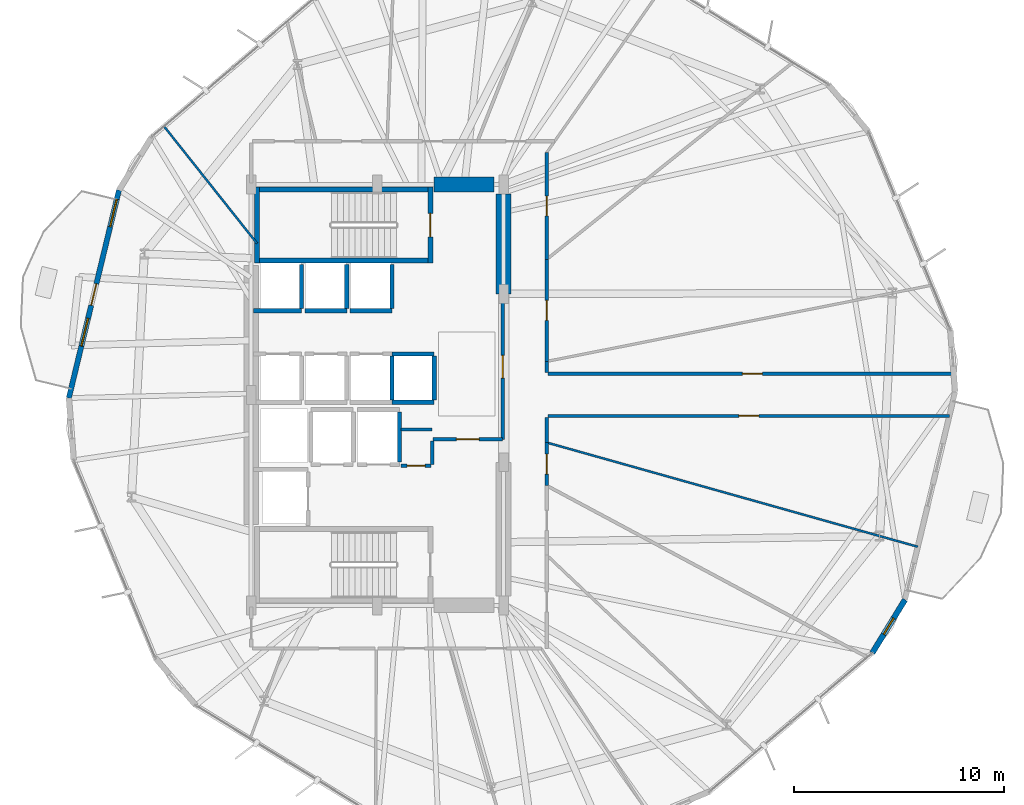
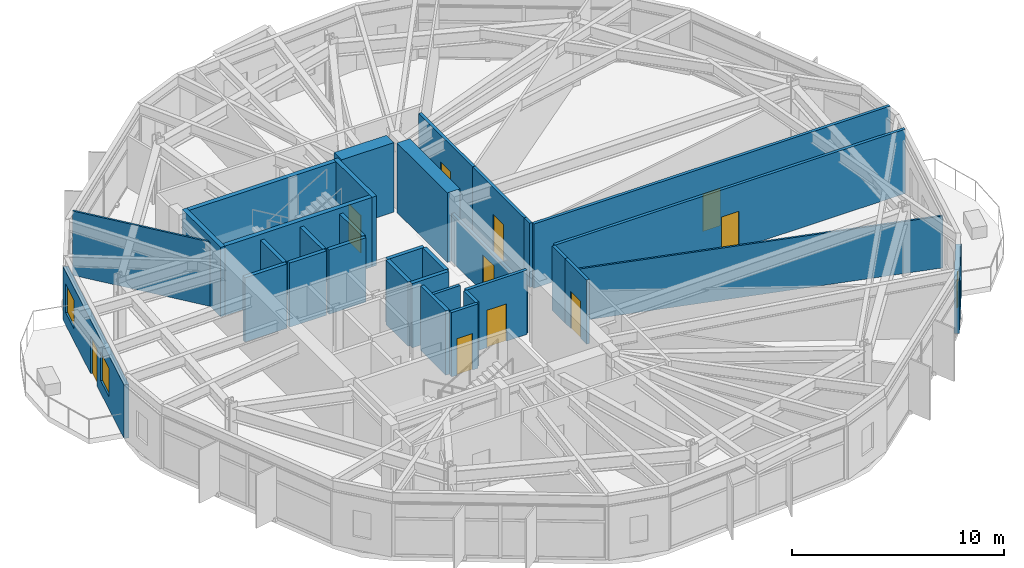
# One storey, part 17 of 22: 33 walls, 10 doors, 3 windows, 13 openings.
"""IFC4 building model written with IfcOpenShell, lengths in metres."""

from ifc_helpers import new_model, si_unit, direction, frame, frame_2d, origin, place, context, subcontext, project, spatial, rectangle, extrude, material, layer, layer_set, type_object, element, fill, save


model = new_model("IFC4")

# Units and contexts
model_context = context("Model", 3, precision=1e-05, world=origin(), true_north=direction((0.0, 1.0)))
body_context = subcontext(model_context, "Body", "Model", "MODEL_VIEW")
ifc_project = project(units=[si_unit("LENGTHUNIT", "METRE"), si_unit("AREAUNIT", "SQUARE_METRE"), si_unit("VOLUMEUNIT", "CUBIC_METRE"), si_unit("PLANEANGLEUNIT", "RADIAN"), si_unit("MASSUNIT", "GRAM", prefix="KILO")], contexts=[model_context])

# Site, building, storey
site_placement = place(None, origin())
site = spatial("IfcSite", under=ifc_project, at=site_placement, CompositionType="ELEMENT")
building_placement = place(site_placement, origin())
building = spatial("IfcBuilding", under=site, at=building_placement, Name="Soratama Intermodal Tower", CompositionType="ELEMENT")
storey_placement = place(building_placement, frame((0.0, 0.0, 50.60009765625)))
storey = spatial("IfcBuildingStorey", under=building, at=storey_placement, Name="L11", CompositionType="ELEMENT", Elevation=50.60009765625)

# Wall, openings, door, windows
ifc_material_1 = material(Name="Concrete f'c 42 MPa", Category="concrete")
ifc_layer_1 = layer(ifc_material_1, 0.25)
ifc_layer_set_1 = layer_set([ifc_layer_1], Name="Concrete f'c 42 MPa")
wall_type_1 = type_object("IfcWallType", Name="EW-BAL-250", PredefinedType="SOLIDWALL", material=ifc_layer_set_1)
wall_1_placement = place(storey_placement, frame((26.31884765625, 34.73388671875, 0.0), z_axis=(0.0, 0.0, 1.0), x_axis=(-0.234457403368, -0.972126394049, 0.0)))
wall_1 = element("IfcWall", 1, at=wall_1_placement, inside=storey, type_object=wall_type_1, Name="L11 Terrace Wall F05", PredefinedType="SOLIDWALL", context=body_context, shape_type="SweptSolid", body=[
    extrude(rectangle(XDim=10.165283203125, YDim=0.25, at=frame_2d((5.08251953125, 0.0))), origin(), (0.0, 0.0, 1.0), 3.078857421875),
])
opening_1_placement = place(wall_1_placement, frame((4.58251953125, 0.0, 0.0)))
opening_1 = element("IfcOpeningElement", 2, at=opening_1_placement, cuts=wall_1, Name="Opening ED-5", PredefinedType="OPENING", context=body_context, shape_type="SweptSolid", body=[
    extrude(rectangle(XDim=1.050048828125, YDim=2.14990234375, at=frame_2d((0.52490234375, 1.074951171875))), frame((0.0, 0.135009765625, 0.0), z_axis=(0.0, -1.0, 0.0), x_axis=(1.0, 0.0, 0.0)), (0.0, 0.0, 1.0), 0.27001953125),
])
opening_2_placement = place(wall_1_placement, frame((0.43994140625, 0.0, 0.719970703125)))
opening_2 = element("IfcOpeningElement", 3, at=opening_2_placement, cuts=wall_1, Name="Opening WN-4", PredefinedType="OPENING", context=body_context, shape_type="SweptSolid", body=[
    extrude(rectangle(XDim=1.35009765625, YDim=1.64990234375, at=frame_2d((0.675048828125, 0.824951171875))), frame((0.0, 0.135009765625, 0.0), z_axis=(0.0, -1.0, 0.0), x_axis=(1.0, 0.0, 0.0)), (0.0, 0.0, 1.0), 0.27001953125),
])
opening_3_placement = place(wall_1_placement, frame((6.272705078125, 0.0, 0.719970703125)))
opening_3 = element("IfcOpeningElement", 4, at=opening_3_placement, cuts=wall_1, Name="Opening WN-4", PredefinedType="OPENING", context=body_context, shape_type="SweptSolid", body=[
    extrude(rectangle(XDim=1.35009765625, YDim=1.64990234375, at=frame_2d((0.675048828125, 0.824951171875))), frame((0.0, 0.135009765625, 0.0), z_axis=(0.0, -1.0, 0.0), x_axis=(1.0, 0.0, 0.0)), (0.0, 0.0, 1.0), 0.27001953125),
])
ifc_material_2 = material(Name="Double-glazed aluminium door", Category="aluminium")
door_type_1 = type_object("IfcDoorType", Name="DR-BAL-1050", OperationType="NOTDEFINED", PredefinedType="DOOR", material=ifc_material_2)
door_1_placement = place(opening_1_placement, origin())
door_1 = element("IfcDoor", 5, at=door_1_placement, inside=storey, type_object=door_type_1, Name="L11 Balcony Door F05", OperationType="SINGLE_SWING_LEFT", OverallHeight=2.14990234375, OverallWidth=1.050048828125, PredefinedType="DOOR", context=body_context, shape_type="SweptSolid", body=[
    extrude(rectangle(XDim=1.050048828125, YDim=2.14990234375, at=frame_2d((0.52490234375, 1.074951171875))), frame((0.0, 0.02490234375, 0.0), z_axis=(0.0, -1.0, 0.0), x_axis=(1.0, 0.0, 0.0)), (0.0, 0.0, 1.0), 0.050048828125),
])
fill(opening_1, door_1)
ifc_material_3 = material(Name="Double-glazed aluminium window", Category="aluminium")
window_type_1 = type_object("IfcWindowType", Name="WN-FAC-1350", PartitioningType="SINGLE_PANEL", PredefinedType="WINDOW", material=ifc_material_3)
window_1_placement = place(opening_2_placement, origin())
window_1 = element("IfcWindow", 6, at=window_1_placement, inside=storey, type_object=window_type_1, Name="L11 Window A F05", OverallHeight=1.64990234375, OverallWidth=1.35009765625, PartitioningType="SINGLE_PANEL", PredefinedType="WINDOW", context=body_context, shape_type="SweptSolid", body=[
    extrude(rectangle(XDim=1.35009765625, YDim=1.64990234375, at=frame_2d((0.675048828125, 0.824951171875))), frame((0.0, 0.030029296875, 0.0), z_axis=(0.0, -1.0, 0.0), x_axis=(1.0, 0.0, 0.0)), (0.0, 0.0, 1.0), 0.06005859375),
])
fill(opening_2, window_1)
window_2_placement = place(opening_3_placement, origin())
window_2 = element("IfcWindow", 7, at=window_2_placement, inside=storey, type_object=window_type_1, Name="L11 Window B F05", OverallHeight=1.64990234375, OverallWidth=1.35009765625, PartitioningType="SINGLE_PANEL", PredefinedType="WINDOW", context=body_context, shape_type="SweptSolid", body=[
    extrude(rectangle(XDim=1.35009765625, YDim=1.64990234375, at=frame_2d((0.675048828125, 0.824951171875))), frame((0.0, 0.030029296875, 0.0), z_axis=(0.0, -1.0, 0.0), x_axis=(1.0, 0.0, 0.0)), (0.0, 0.0, 1.0), 0.06005859375),
])
fill(opening_3, window_2)

# Wall, opening, window
ifc_material_4 = material(Name="Concrete f'c 42 MPa", Category="concrete")
ifc_layer_2 = layer(ifc_material_4, 0.27001953125)
ifc_layer_set_2 = layer_set([ifc_layer_2], Name="Concrete f'c 42 MPa")
wall_type_2 = type_object("IfcWallType", Name="EW-CRN-270", PredefinedType="SOLIDWALL", material=ifc_layer_set_2)
wall_2_placement = place(storey_placement, frame((62.12841796875, 12.73828125, 0.0), z_axis=(0.0, 0.0, 1.0), x_axis=(0.523399327402, 0.852087521371, 0.0)))
wall_2 = element("IfcWall", 8, at=wall_2_placement, inside=storey, type_object=wall_type_2, Name="L11 Corner Closure Wall 09", PredefinedType="SOLIDWALL", context=body_context, shape_type="SweptSolid", body=[
    extrude(rectangle(XDim=2.966552734375, YDim=0.27001953125, at=frame_2d((1.4833984375, 0.0))), origin(), (0.0, 0.0, 1.0), 3.078857421875),
])
opening_4_placement = place(wall_2_placement, frame((1.033203125, 0.0, 0.75)))
opening_4 = element("IfcOpeningElement", 9, at=opening_4_placement, cuts=wall_2, Name="Opening WN-6", PredefinedType="OPENING", context=body_context, shape_type="SweptSolid", body=[
    extrude(rectangle(XDim=0.89990234375, YDim=1.5, at=frame_2d((0.449951171875, 0.75))), frame((0.0, 0.14501953125, 0.0), z_axis=(0.0, -1.0, 0.0), x_axis=(1.0, 0.0, 0.0)), (0.0, 0.0, 1.0), 0.2900390625),
])
ifc_material_5 = material(Name="Double-glazed aluminium window", Category="aluminium")
window_type_2 = type_object("IfcWindowType", Name="WN-FAC-900", PartitioningType="SINGLE_PANEL", PredefinedType="WINDOW", material=ifc_material_5)
window_3_placement = place(opening_4_placement, origin())
window_3 = element("IfcWindow", 10, at=window_3_placement, inside=storey, type_object=window_type_2, Name="L11 Corner Window 09", OverallHeight=1.5, OverallWidth=0.89990234375, PartitioningType="SINGLE_PANEL", PredefinedType="WINDOW", context=body_context, shape_type="SweptSolid", body=[
    extrude(rectangle(XDim=0.89990234375, YDim=1.5, at=frame_2d((0.449951171875, 0.75))), frame((0.0, 0.030029296875, 0.0), z_axis=(0.0, -1.0, 0.0), x_axis=(1.0, 0.0, 0.0)), (0.0, 0.0, 1.0), 0.06005859375),
])
fill(opening_4, window_3)

# Wall, opening, door
ifc_material_6 = material(Name="Fire-rated gypsum stud partition", Category="concrete")
ifc_layer_3 = layer(ifc_material_6, 0.159912109375)
ifc_layer_set_3 = layer_set([ifc_layer_3], Name="Fire-rated gypsum stud partition")
wall_type_3 = type_object("IfcWallType", Name="IW-PART-R160", PredefinedType="PARTITIONING", material=ifc_layer_set_3)
wall_3_placement = place(storey_placement, frame((46.719970703125, 26.0, 0.0), z_axis=(0.0, 0.0, 1.0), x_axis=(1.0, 0.0, 0.0)))
wall_3 = element("IfcWall", 11, at=wall_3_placement, inside=storey, type_object=wall_type_3, Name="L11 Partition W-L11-TP001", PredefinedType="PARTITIONING", context=body_context, shape_type="SweptSolid", body=[
    extrude(rectangle(XDim=19.412109375, YDim=0.159912109375, at=frame_2d((9.7060546875, 0.0))), origin(), (0.0, 0.0, 1.0), 3.699951171875),
])
opening_5_placement = place(wall_3_placement, frame((9.23095703125, 0.0, 0.0)))
opening_5 = element("IfcOpeningElement", 12, at=opening_5_placement, cuts=wall_3, Name="Opening ID-3", PredefinedType="OPENING", context=body_context, shape_type="SweptSolid", body=[
    extrude(rectangle(XDim=0.949951171875, YDim=2.14990234375, at=frame_2d((0.47509765625, 1.074951171875))), frame((0.0, 0.08984375, 0.0), z_axis=(0.0, -1.0, 0.0), x_axis=(1.0, 0.0, 0.0)), (0.0, 0.0, 1.0), 0.179931640625),
])
ifc_material_7 = material(Name="Solid hardwood acoustic door", Category="wood")
door_type_2 = type_object("IfcDoorType", Name="DR-ROOM-950", OperationType="NOTDEFINED", PredefinedType="DOOR", material=ifc_material_7)
door_2_placement = place(opening_5_placement, origin())
door_2 = element("IfcDoor", 13, at=door_2_placement, inside=storey, type_object=door_type_2, Name="L11 Door D-L11-TP001", OperationType="SINGLE_SWING_RIGHT", OverallHeight=2.14990234375, OverallWidth=0.949951171875, PredefinedType="DOOR", context=body_context, shape_type="SweptSolid", body=[
    extrude(rectangle(XDim=0.949951171875, YDim=2.14990234375, at=frame_2d((0.47509765625, 1.074951171875))), frame((0.0, 0.02490234375, 0.0), z_axis=(0.0, -1.0, 0.0), x_axis=(1.0, 0.0, 0.0)), (0.0, 0.0, 1.0), 0.050048828125),
])
fill(opening_5, door_2)

wall_4_placement = place(storey_placement, frame((65.7880859375, 24.0, 0.0), z_axis=(0.0, 0.0, 1.0), x_axis=(-1.0, 0.0, 0.0)))
wall_4 = element("IfcWall", 14, at=wall_4_placement, inside=storey, type_object=wall_type_3, Name="L11 Partition W-L11-TP002", PredefinedType="PARTITIONING", context=body_context, shape_type="SweptSolid", body=[
    extrude(rectangle(XDim=19.068115234375, YDim=0.159912109375, at=frame_2d((9.5341796875, 0.0))), origin(), (0.0, 0.0, 1.0), 3.699951171875),
])
opening_6_placement = place(wall_4_placement, frame((9.05908203125, 0.0, 0.0)))
opening_6 = element("IfcOpeningElement", 15, at=opening_6_placement, cuts=wall_4, Name="Opening ID-3", PredefinedType="OPENING", context=body_context, shape_type="SweptSolid", body=[
    extrude(rectangle(XDim=0.949951171875, YDim=2.14990234375, at=frame_2d((0.47509765625, 1.074951171875))), frame((0.0, 0.08984375, 0.0), z_axis=(0.0, -1.0, 0.0), x_axis=(1.0, 0.0, 0.0)), (0.0, 0.0, 1.0), 0.179931640625),
])
door_3_placement = place(opening_6_placement, origin())
door_3 = element("IfcDoor", 16, at=door_3_placement, inside=storey, type_object=door_type_2, Name="L11 Door D-L11-TP002", OperationType="SINGLE_SWING_LEFT", OverallHeight=2.14990234375, OverallWidth=0.949951171875, PredefinedType="DOOR", context=body_context, shape_type="SweptSolid", body=[
    extrude(rectangle(XDim=0.949951171875, YDim=2.14990234375, at=frame_2d((0.47509765625, 1.074951171875))), frame((0.0, 0.02490234375, 0.0), z_axis=(0.0, -1.0, 0.0), x_axis=(1.0, 0.0, 0.0)), (0.0, 0.0, 1.0), 0.050048828125),
])
fill(opening_6, door_3)

wall_5_placement = place(storey_placement, frame((44.56005859375, 29.800048828125, 0.0), z_axis=(0.0, 0.0, 1.0), x_axis=(0.0, -1.0, 0.0)))
wall_5 = element("IfcWall", 17, at=wall_5_placement, inside=storey, type_object=wall_type_3, Name="L11 Partition W-L11-TP015", PredefinedType="PARTITIONING", context=body_context, shape_type="SweptSolid", body=[
    extrude(rectangle(XDim=6.91015625, YDim=0.159912109375, at=frame_2d((3.455078125, 0.0))), origin(), (0.0, 0.0, 1.0), 2.739990234375),
])
opening_7_placement = place(wall_5_placement, frame((2.9150390625, 0.0, 0.0)))
opening_7 = element("IfcOpeningElement", 18, at=opening_7_placement, cuts=wall_5, Name="Opening ID-1", PredefinedType="OPENING", context=body_context, shape_type="SweptSolid", body=[
    extrude(rectangle(XDim=1.080078125, YDim=2.14990234375, at=frame_2d((0.5400390625, 1.074951171875))), frame((0.0, 0.08984375, 0.0), z_axis=(0.0, -1.0, 0.0), x_axis=(1.0, 0.0, 0.0)), (0.0, 0.0, 1.0), 0.179931640625),
])
ifc_material_8 = material(Name="Solid hardwood acoustic door", Category="wood")
door_type_3 = type_object("IfcDoorType", Name="DR-LOB-FD60", OperationType="NOTDEFINED", PredefinedType="DOOR", material=ifc_material_8)
door_4_placement = place(opening_7_placement, origin())
door_4 = element("IfcDoor", 19, at=door_4_placement, inside=storey, type_object=door_type_3, Name="L11 Door D-L11-TP003", OperationType="SINGLE_SWING_RIGHT", OverallHeight=2.14990234375, OverallWidth=1.080078125, PredefinedType="DOOR", context=body_context, shape_type="SweptSolid", body=[
    extrude(rectangle(XDim=1.080078125, YDim=2.14990234375, at=frame_2d((0.5400390625, 1.074951171875))), frame((0.0, 0.02490234375, 0.0), z_axis=(0.0, -1.0, 0.0), x_axis=(1.0, 0.0, 0.0)), (0.0, 0.0, 1.0), 0.050048828125),
])
fill(opening_7, door_4)

wall_6_placement = place(storey_placement, frame((46.64990234375, 36.51904296875, 0.0), z_axis=(0.0, 0.0, 1.0), x_axis=(0.0, -1.0, 0.0)))
wall_6 = element("IfcWall", 20, at=wall_6_placement, inside=storey, type_object=wall_type_3, Name="L11 Partition W-L11-TP017", PredefinedType="PARTITIONING", context=body_context, shape_type="SweptSolid", body=[
    extrude(rectangle(XDim=5.0771484375, YDim=0.159912109375, at=frame_2d((2.53857421875, 0.0))), origin(), (0.0, 0.0, 1.0), 3.699951171875),
])
opening_8_placement = place(wall_6_placement, frame((2.06298828125, 0.0, 0.0)))
opening_8 = element("IfcOpeningElement", 21, at=opening_8_placement, cuts=wall_6, Name="Opening ID-3", PredefinedType="OPENING", context=body_context, shape_type="SweptSolid", body=[
    extrude(rectangle(XDim=0.949951171875, YDim=2.14990234375, at=frame_2d((0.47509765625, 1.074951171875))), frame((0.0, 0.08984375, 0.0), z_axis=(0.0, -1.0, 0.0), x_axis=(1.0, 0.0, 0.0)), (0.0, 0.0, 1.0), 0.179931640625),
])
door_5_placement = place(opening_8_placement, origin())
door_5 = element("IfcDoor", 22, at=door_5_placement, inside=storey, type_object=door_type_2, Name="L11 Door D-L11-TP004", OperationType="SINGLE_SWING_LEFT", OverallHeight=2.14990234375, OverallWidth=0.949951171875, PredefinedType="DOOR", context=body_context, shape_type="SweptSolid", body=[
    extrude(rectangle(XDim=0.949951171875, YDim=2.14990234375, at=frame_2d((0.47509765625, 1.074951171875))), frame((0.0, 0.02490234375, 0.0), z_axis=(0.0, -1.0, 0.0), x_axis=(1.0, 0.0, 0.0)), (0.0, 0.0, 1.0), 0.050048828125),
])
fill(opening_8, door_5)

wall_7_placement = place(storey_placement, frame((46.64990234375, 31.44189453125, 0.0), z_axis=(0.0, 0.0, 1.0), x_axis=(0.0, -1.0, 0.0)))
wall_7 = element("IfcWall", 23, at=wall_7_placement, inside=storey, type_object=wall_type_3, Name="L11 Partition W-L11-TP018", PredefinedType="PARTITIONING", context=body_context, shape_type="SweptSolid", body=[
    extrude(rectangle(XDim=4.848876953125, YDim=0.159912109375, at=frame_2d((2.42431640625, 0.0))), origin(), (0.0, 0.0, 1.0), 3.699951171875),
])
opening_9_placement = place(wall_7_placement, frame((1.949951171875, 0.0, 0.0)))
opening_9 = element("IfcOpeningElement", 24, at=opening_9_placement, cuts=wall_7, Name="Opening ID-3", PredefinedType="OPENING", context=body_context, shape_type="SweptSolid", body=[
    extrude(rectangle(XDim=0.949951171875, YDim=2.14990234375, at=frame_2d((0.47509765625, 1.074951171875))), frame((0.0, 0.08984375, 0.0), z_axis=(0.0, -1.0, 0.0), x_axis=(1.0, 0.0, 0.0)), (0.0, 0.0, 1.0), 0.179931640625),
])
door_6_placement = place(opening_9_placement, origin())
door_6 = element("IfcDoor", 25, at=door_6_placement, inside=storey, type_object=door_type_2, Name="L11 Door D-L11-TP005", OperationType="SINGLE_SWING_RIGHT", OverallHeight=2.14990234375, OverallWidth=0.949951171875, PredefinedType="DOOR", context=body_context, shape_type="SweptSolid", body=[
    extrude(rectangle(XDim=0.949951171875, YDim=2.14990234375, at=frame_2d((0.47509765625, 1.074951171875))), frame((0.0, 0.02490234375, 0.0), z_axis=(0.0, -1.0, 0.0), x_axis=(1.0, 0.0, 0.0)), (0.0, 0.0, 1.0), 0.050048828125),
])
fill(opening_9, door_6)

wall_8_placement = place(storey_placement, frame((46.64990234375, 22.738037109375, 0.0), z_axis=(0.0, 0.0, 1.0), x_axis=(0.0, -1.0, 0.0)))
wall_8 = element("IfcWall", 26, at=wall_8_placement, inside=storey, type_object=wall_type_3, Name="L11 Partition W-L11-TP030", PredefinedType="PARTITIONING", context=body_context, shape_type="SweptSolid", body=[
    extrude(rectangle(XDim=2.049072265625, YDim=0.159912109375, at=frame_2d((1.0244140625, 0.0))), origin(), (0.0, 0.0, 1.0), 3.699951171875),
])
opening_10_placement = place(wall_8_placement, frame((0.549072265625, 0.0, 0.0)))
opening_10 = element("IfcOpeningElement", 27, at=opening_10_placement, cuts=wall_8, Name="Opening ID-3", PredefinedType="OPENING", context=body_context, shape_type="SweptSolid", body=[
    extrude(rectangle(XDim=0.949951171875, YDim=2.14990234375, at=frame_2d((0.47509765625, 1.074951171875))), frame((0.0, 0.08984375, 0.0), z_axis=(0.0, -1.0, 0.0), x_axis=(1.0, 0.0, 0.0)), (0.0, 0.0, 1.0), 0.179931640625),
])
door_7_placement = place(opening_10_placement, origin())
door_7 = element("IfcDoor", 28, at=door_7_placement, inside=storey, type_object=door_type_2, Name="L11 Door D-L11-TP016", OperationType="SINGLE_SWING_LEFT", OverallHeight=2.14990234375, OverallWidth=0.949951171875, PredefinedType="DOOR", context=body_context, shape_type="SweptSolid", body=[
    extrude(rectangle(XDim=0.949951171875, YDim=2.14990234375, at=frame_2d((0.47509765625, 1.074951171875))), frame((0.0, 0.02490234375, 0.0), z_axis=(0.0, -1.0, 0.0), x_axis=(1.0, 0.0, 0.0)), (0.0, 0.0, 1.0), 0.050048828125),
])
fill(opening_10, door_7)

# Walls
wall_9_placement = place(storey_placement, frame((46.64990234375, 23.929931640625, 0.0), z_axis=(0.0, 0.0, 1.0), x_axis=(0.0, -1.0, 0.0)))
element("IfcWall", 29, at=wall_9_placement, inside=storey, type_object=wall_type_3, Name="L11 Partition W-L11-TP035", PredefinedType="PARTITIONING", context=body_context, shape_type="SweptSolid", body=[
    extrude(rectangle(XDim=1.19189453125, YDim=0.159912109375, at=frame_2d((0.595947265625, 0.0))), origin(), (0.0, 0.0, 1.0), 3.699951171875),
])
wall_10_placement = place(storey_placement, frame((46.64990234375, 26.593017578125, 0.0), z_axis=(0.0, 0.0, 1.0), x_axis=(0.0, -1.0, 0.0)))
element("IfcWall", 30, at=wall_10_placement, inside=storey, type_object=wall_type_3, Name="L11 Partition W-L11-TP037", PredefinedType="PARTITIONING", context=body_context, shape_type="SweptSolid", body=[
    extrude(rectangle(XDim=0.52294921875, YDim=0.159912109375, at=frame_2d((0.261474609375, 0.0))), origin(), (0.0, 0.0, 1.0), 3.699951171875),
])
wall_11_placement = place(storey_placement, frame((41.199951171875, 23.360107421875, 0.0), z_axis=(0.0, 0.0, 1.0), x_axis=(-1.0, 0.0, 0.0)))
element("IfcWall", 31, at=wall_11_placement, inside=storey, type_object=wall_type_3, Name="L11 Partition W-L11-TP038", PredefinedType="PARTITIONING", context=body_context, shape_type="SweptSolid", body=[
    extrude(rectangle(XDim=1.47998046875, YDim=0.159912109375, at=frame_2d((0.739990234375, 0.0))), origin(), (0.0, 0.0, 1.0), 3.699951171875),
])

# Wall, opening, door
ifc_material_9 = material(Name="Fire-rated gypsum stud partition", Category="concrete")
ifc_layer_4 = layer(ifc_material_9, 0.169921875)
ifc_layer_set_4 = layer_set([ifc_layer_4], Name="Fire-rated gypsum stud partition")
wall_type_4 = type_object("IfcWallType", Name="IW-PART-R170", PredefinedType="PARTITIONING", material=ifc_layer_set_4)
wall_12_placement = place(storey_placement, frame((41.239990234375, 22.889892578125, 0.0), z_axis=(0.0, 0.0, 1.0), x_axis=(1.0, 0.0, 0.0)))
wall_12 = element("IfcWall", 32, at=wall_12_placement, inside=storey, type_object=wall_type_4, Name="L11 Partition W-L11-TP027", PredefinedType="PARTITIONING", context=body_context, shape_type="SweptSolid", body=[
    extrude(rectangle(XDim=3.320068359375, YDim=0.169921875, at=frame_2d((1.66015625, 0.0))), origin(), (0.0, 0.0, 1.0), 3.699951171875),
])
opening_11_placement = place(wall_12_placement, frame((1.1201171875, 0.0, 0.0)))
opening_11 = element("IfcOpeningElement", 33, at=opening_11_placement, cuts=wall_12, Name="Opening ID-0", PredefinedType="OPENING", context=body_context, shape_type="SweptSolid", body=[
    extrude(rectangle(XDim=1.080078125, YDim=2.14990234375, at=frame_2d((0.5400390625, 1.074951171875))), frame((0.0, 0.094970703125, 0.0), z_axis=(0.0, -1.0, 0.0), x_axis=(1.0, 0.0, 0.0)), (0.0, 0.0, 1.0), 0.18994140625),
])
ifc_material_10 = material(Name="Solid hardwood acoustic door", Category="wood")
door_type_4 = type_object("IfcDoorType", Name="DR-LOB-FD90", OperationType="NOTDEFINED", PredefinedType="DOOR", material=ifc_material_10)
door_8_placement = place(opening_11_placement, origin())
door_8 = element("IfcDoor", 34, at=door_8_placement, inside=storey, type_object=door_type_4, Name="L11 Door D-L11-TP013", OperationType="SINGLE_SWING_RIGHT", OverallHeight=2.14990234375, OverallWidth=1.080078125, PredefinedType="DOOR", context=body_context, shape_type="SweptSolid", body=[
    extrude(rectangle(XDim=1.080078125, YDim=2.14990234375, at=frame_2d((0.5400390625, 1.074951171875))), frame((0.0, 0.02490234375, 0.0), z_axis=(0.0, -1.0, 0.0), x_axis=(1.0, 0.0, 0.0)), (0.0, 0.0, 1.0), 0.050048828125),
])
fill(opening_11, door_8)

wall_13_placement = place(storey_placement, frame((39.719970703125, 21.639892578125, 0.0), z_axis=(0.0, 0.0, 1.0), x_axis=(1.0, 0.0, 0.0)))
wall_13 = element("IfcWall", 35, at=wall_13_placement, inside=storey, type_object=wall_type_4, Name="L11 Partition W-L11-TP034", PredefinedType="PARTITIONING", context=body_context, shape_type="SweptSolid", body=[
    extrude(rectangle(XDim=1.43994140625, YDim=0.169921875, at=frame_2d((0.719970703125, 0.0))), origin(), (0.0, 0.0, 1.0), 3.699951171875),
])
opening_12_placement = place(wall_13_placement, frame((0.294921875, 0.0, 0.0)))
opening_12 = element("IfcOpeningElement", 36, at=opening_12_placement, cuts=wall_13, Name="Opening ID-4", PredefinedType="OPENING", context=body_context, shape_type="SweptSolid", body=[
    extrude(rectangle(XDim=0.85009765625, YDim=2.10009765625, at=frame_2d((0.425048828125, 1.050048828125))), frame((0.0, 0.094970703125, 0.0), z_axis=(0.0, -1.0, 0.0), x_axis=(1.0, 0.0, 0.0)), (0.0, 0.0, 1.0), 0.18994140625),
])
ifc_material_11 = material(Name="Solid hardwood acoustic door", Category="wood")
door_type_5 = type_object("IfcDoorType", Name="DR-BATH-850", OperationType="NOTDEFINED", PredefinedType="DOOR", material=ifc_material_11)
door_9_placement = place(opening_12_placement, origin())
door_9 = element("IfcDoor", 37, at=door_9_placement, inside=storey, type_object=door_type_5, Name="L11 Door D-L11-TP018", OperationType="SINGLE_SWING_LEFT", OverallHeight=2.10009765625, OverallWidth=0.85009765625, PredefinedType="DOOR", context=body_context, shape_type="SweptSolid", body=[
    extrude(rectangle(XDim=0.85009765625, YDim=2.10009765625, at=frame_2d((0.425048828125, 1.050048828125))), frame((0.0, 0.02490234375, 0.0), z_axis=(0.0, -1.0, 0.0), x_axis=(1.0, 0.0, 0.0)), (0.0, 0.0, 1.0), 0.050048828125),
])
fill(opening_12, door_9)

# Walls
wall_14_placement = place(storey_placement, frame((41.199951171875, 21.699951171875, 0.0), z_axis=(0.0, 0.0, 1.0), x_axis=(0.0, 1.0, 0.0)))
element("IfcWall", 38, at=wall_14_placement, inside=storey, type_object=wall_type_4, Name="L11 Partition W-L11-TP036", PredefinedType="PARTITIONING", context=body_context, shape_type="SweptSolid", body=[
    extrude(rectangle(XDim=1.1201171875, YDim=0.169921875, at=frame_2d((0.56005859375, 0.0))), origin(), (0.0, 0.0, 1.0), 3.699951171875),
])
ifc_material_12 = material(Name="Fire-rated gypsum stud partition", Category="concrete")
ifc_layer_5 = layer(ifc_material_12, 0.10009765625)
ifc_layer_set_5 = layer_set([ifc_layer_5], Name="Fire-rated gypsum stud partition")
wall_type_5 = type_object("IfcWallType", Name="IW-PART-S100", PredefinedType="PARTITIONING", material=ifc_layer_set_5)
wall_15_placement = place(storey_placement, frame((46.64990234375, 22.738037109375, 0.0), z_axis=(0.0, 0.0, 1.0), x_axis=(0.962731430865, -0.270459224329, 0.0)))
element("IfcWall", 39, at=wall_15_placement, inside=storey, type_object=wall_type_5, Name="L11 Partition W-L11-TP004", PredefinedType="PARTITIONING", context=body_context, shape_type="SweptSolid", body=[
    extrude(rectangle(XDim=18.321044921875, YDim=0.10009765625, at=frame_2d((9.16064453125, 0.0))), origin(), (0.0, 0.0, 1.0), 2.994873046875),
])
wall_16_placement = place(storey_placement, frame((32.8798828125, 32.201904296875, 0.0), z_axis=(0.0, 0.0, 1.0), x_axis=(-0.621908178435, 0.783090172072, 0.0)))
element("IfcWall", 40, at=wall_16_placement, inside=storey, type_object=wall_type_5, Name="L11 Partition W-L11-TP014", PredefinedType="PARTITIONING", context=body_context, shape_type="SweptSolid", body=[
    extrude(rectangle(XDim=7.10400390625, YDim=0.10009765625, at=frame_2d((3.552001953125, 0.0))), origin(), (0.0, 0.0, 1.0), 3.699951171875),
])
ifc_material_13 = material(Name="Concrete f'c 42 MPa", Category="concrete")
ifc_layer_6 = layer(ifc_material_13, 0.199951171875)
ifc_layer_set_6 = layer_set([ifc_layer_6], Name="Concrete f'c 42 MPa")
wall_type_6 = type_object("IfcWallType", Name="IW-SHAFT-200", PredefinedType="SOLIDWALL", material=ifc_layer_set_6)
wall_17_placement = place(storey_placement, frame((39.64990234375, 21.81005859375, 0.0), z_axis=(0.0, 0.0, 1.0), x_axis=(0.0, 1.0, 0.0)))
element("IfcWall", 41, at=wall_17_placement, inside=storey, type_object=wall_type_6, Name="L11 FFL-2 Hoistway Wall E", PredefinedType="SOLIDWALL", context=body_context, shape_type="SweptSolid", body=[
    extrude(rectangle(XDim=2.3798828125, YDim=0.199951171875, at=frame_2d((1.18994140625, 0.0))), origin(), (0.0, 0.0, 1.0), 3.699951171875),
])
wall_18_placement = place(storey_placement, frame((39.300048828125, 24.760009765625, 0.0), z_axis=(0.0, 0.0, 1.0), x_axis=(0.0, 1.0, 0.0)))
element("IfcWall", 42, at=wall_18_placement, inside=storey, type_object=wall_type_6, Name="L11 PL-L3 Hoistway Wall E", PredefinedType="SOLIDWALL", context=body_context, shape_type="SweptSolid", body=[
    extrude(rectangle(XDim=2.080078125, YDim=0.199951171875, at=frame_2d((1.0400390625, 0.0))), origin(), (0.0, 0.0, 1.0), 3.699951171875),
])
for number, where, z_axis, x_axis, name in (
    (43, (39.300048828125, 24.64990234375, 0.0), (0.0, 0.0, 1.0), (1.0, 0.0, 0.0), "L11 PL-M1 Hoistway Wall S"),
    (44, (39.300048828125, 26.949951171875, 0.0), (0.0, 0.0, 1.0), (1.0, 0.0, 0.0), "L11 PL-M1 Hoistway Wall N"),
):
    element("IfcWall", number, at=place(storey_placement, frame(where, z_axis=z_axis, x_axis=x_axis)), inside=storey, type_object=wall_type_6, Name=name, PredefinedType="SOLIDWALL", context=body_context, shape_type="SweptSolid", body=[
        extrude(rectangle(XDim=2.0, YDim=0.199951171875, at=frame_2d((1.0, 0.0))), origin(), (0.0, 0.0, 1.0), 3.699951171875),
    ])
wall_19_placement = place(storey_placement, frame((41.300048828125, 24.760009765625, 0.0), z_axis=(0.0, 0.0, 1.0), x_axis=(0.0, 1.0, 0.0)))
element("IfcWall", 45, at=wall_19_placement, inside=storey, type_object=wall_type_6, Name="L11 PL-M1 Hoistway Wall E", PredefinedType="SOLIDWALL", context=body_context, shape_type="SweptSolid", body=[
    extrude(rectangle(XDim=2.080078125, YDim=0.199951171875, at=frame_2d((1.0400390625, 0.0))), origin(), (0.0, 0.0, 1.0), 3.699951171875),
])
wall_20_placement = place(storey_placement, frame((32.719970703125, 29.0, 0.0), z_axis=(0.0, 0.0, 1.0), x_axis=(1.0, 0.0, 0.0)))
element("IfcWall", 46, at=wall_20_placement, inside=storey, type_object=wall_type_6, Name="L11 PL-M2 Hoistway Wall S", PredefinedType="SOLIDWALL", context=body_context, shape_type="SweptSolid", body=[
    extrude(rectangle(XDim=2.280029296875, YDim=0.199951171875, at=frame_2d((1.14013671875, 0.0))), origin(), (0.0, 0.0, 1.0), 3.699951171875),
])
wall_21_placement = place(storey_placement, frame((35.0, 29.110107421875, 0.0), z_axis=(0.0, 0.0, 1.0), x_axis=(0.0, 1.0, 0.0)))
element("IfcWall", 47, at=wall_21_placement, inside=storey, type_object=wall_type_6, Name="L11 PL-M2 Hoistway Wall E", PredefinedType="SOLIDWALL", context=body_context, shape_type="SweptSolid", body=[
    extrude(rectangle(XDim=2.099853515625, YDim=0.199951171875, at=frame_2d((1.0498046875, 0.0))), origin(), (0.0, 0.0, 1.0), 3.699951171875),
])
wall_22_placement = place(storey_placement, frame((35.14990234375, 29.0, 0.0), z_axis=(0.0, 0.0, 1.0), x_axis=(1.0, 0.0, 0.0)))
element("IfcWall", 48, at=wall_22_placement, inside=storey, type_object=wall_type_6, Name="L11 PL-H1 Hoistway Wall S", PredefinedType="SOLIDWALL", context=body_context, shape_type="SweptSolid", body=[
    extrude(rectangle(XDim=2.0, YDim=0.199951171875, at=frame_2d((1.0, 0.0))), origin(), (0.0, 0.0, 1.0), 3.699951171875),
])
wall_23_placement = place(storey_placement, frame((37.14990234375, 29.110107421875, 0.0), z_axis=(0.0, 0.0, 1.0), x_axis=(0.0, 1.0, 0.0)))
element("IfcWall", 49, at=wall_23_placement, inside=storey, type_object=wall_type_6, Name="L11 PL-H1 Hoistway Wall E", PredefinedType="SOLIDWALL", context=body_context, shape_type="SweptSolid", body=[
    extrude(rectangle(XDim=2.099853515625, YDim=0.199951171875, at=frame_2d((1.0498046875, 0.0))), origin(), (0.0, 0.0, 1.0), 3.699951171875),
])
wall_24_placement = place(storey_placement, frame((37.300048828125, 29.0, 0.0), z_axis=(0.0, 0.0, 1.0), x_axis=(1.0, 0.0, 0.0)))
element("IfcWall", 50, at=wall_24_placement, inside=storey, type_object=wall_type_6, Name="L11 PL-H2 Hoistway Wall S", PredefinedType="SOLIDWALL", context=body_context, shape_type="SweptSolid", body=[
    extrude(rectangle(XDim=2.0, YDim=0.199951171875, at=frame_2d((1.0, 0.0))), origin(), (0.0, 0.0, 1.0), 3.699951171875),
])
wall_25_placement = place(storey_placement, frame((39.300048828125, 29.110107421875, 0.0), z_axis=(0.0, 0.0, 1.0), x_axis=(0.0, 1.0, 0.0)))
element("IfcWall", 51, at=wall_25_placement, inside=storey, type_object=wall_type_6, Name="L11 PL-H2 Hoistway Wall E", PredefinedType="SOLIDWALL", context=body_context, shape_type="SweptSolid", body=[
    extrude(rectangle(XDim=2.099853515625, YDim=0.199951171875, at=frame_2d((1.0498046875, 0.0))), origin(), (0.0, 0.0, 1.0), 3.699951171875),
])
ifc_material_14 = material(Name="Concrete f'c 56 MPa", Category="concrete")
ifc_layer_7 = layer(ifc_material_14, 0.699951171875)
ifc_layer_set_7 = layer_set([ifc_layer_7], Name="Concrete f'c 56 MPa")
wall_type_7 = type_object("IfcWallType", Name="SW-CORE-700", PredefinedType="SHEAR", material=ifc_layer_set_7)
wall_26_placement = place(storey_placement, frame((41.300048828125, 35.0, 0.0), z_axis=(0.0, 0.0, 1.0), x_axis=(1.0, 0.0, 0.0)))
element("IfcWall", 52, at=wall_26_placement, inside=storey, type_object=wall_type_7, Name="L11 Core Shear Wall CW-NE", PredefinedType="SHEAR", context=body_context, shape_type="SweptSolid", body=[
    extrude(rectangle(XDim=2.849853515625, YDim=0.699951171875, at=frame_2d((1.4248046875, 0.0))), origin(), (0.0, 0.0, 1.0), 4.0),
])
wall_27_placement = place(storey_placement, frame((44.60009765625, 29.800048828125, 0.0), z_axis=(0.0, 0.0, 1.0), x_axis=(0.0, 1.0, 0.0)))
element("IfcWall", 53, at=wall_27_placement, inside=storey, type_object=wall_type_7, Name="L11 Core Shear Wall CW-EN", PredefinedType="SHEAR", context=body_context, shape_type="SweptSolid", body=[
    extrude(rectangle(XDim=4.75, YDim=0.699951171875, at=frame_2d((2.375, 0.0))), origin(), (0.0, 0.0, 1.0), 4.0),
])
ifc_material_15 = material(Name="Concrete f'c 56 MPa", Category="concrete")
ifc_layer_8 = layer(ifc_material_15, 0.239990234375)
ifc_layer_set_8 = layer_set([ifc_layer_8], Name="Concrete f'c 56 MPa")
wall_type_8 = type_object("IfcWallType", Name="SW-STAIR-240", PredefinedType="SHEAR", material=ifc_layer_set_8)
wall_28_placement = place(storey_placement, frame((32.8798828125, 31.260009765625, 0.0), z_axis=(0.0, 0.0, 1.0), x_axis=(0.0, 1.0, 0.0)))
element("IfcWall", 54, at=wall_28_placement, inside=storey, type_object=wall_type_8, Name="L11 ST-2 Shaft Shear Wall W", PredefinedType="SHEAR", context=body_context, shape_type="SweptSolid", body=[
    extrude(rectangle(XDim=3.6298828125, YDim=0.239990234375, at=frame_2d((1.81494140625, 0.0))), origin(), (0.0, 0.0, 1.0), 4.0),
])

# Wall, opening, door
wall_29_placement = place(storey_placement, frame((41.1201171875, 31.260009765625, 0.0), z_axis=(0.0, 0.0, 1.0), x_axis=(0.0, 1.0, 0.0)))
wall_29 = element("IfcWall", 55, at=wall_29_placement, inside=storey, type_object=wall_type_8, Name="L11 ST-2 Shaft Shear Wall E", PredefinedType="SHEAR", context=body_context, shape_type="SweptSolid", body=[
    extrude(rectangle(XDim=3.6298828125, YDim=0.239990234375, at=frame_2d((1.81494140625, 0.0))), origin(), (0.0, 0.0, 1.0), 4.0),
])
opening_13_placement = place(wall_29_placement, frame((1.2548828125, 0.0, 0.0)))
opening_13 = element("IfcOpeningElement", 56, at=opening_13_placement, cuts=wall_29, Name="Opening SD-1", PredefinedType="OPENING", context=body_context, shape_type="SweptSolid", body=[
    extrude(rectangle(XDim=1.1201171875, YDim=2.14990234375, at=frame_2d((0.56005859375, 1.074951171875))), frame((0.0, 0.1298828125, 0.0), z_axis=(0.0, -1.0, 0.0), x_axis=(1.0, 0.0, 0.0)), (0.0, 0.0, 1.0), 0.260009765625),
])
ifc_material_16 = material(Name="Steel fire door", Category="steel")
door_type_6 = type_object("IfcDoorType", Name="DR-STAIR-FD90", OperationType="NOTDEFINED", PredefinedType="DOOR", material=ifc_material_16)
door_10_placement = place(opening_13_placement, origin())
door_10 = element("IfcDoor", 57, at=door_10_placement, inside=storey, type_object=door_type_6, Name="L11 ST-2 Exit Stair Door", OperationType="SINGLE_SWING_RIGHT", OverallHeight=2.14990234375, OverallWidth=1.1201171875, PredefinedType="DOOR", context=body_context, shape_type="SweptSolid", body=[
    extrude(rectangle(XDim=1.1201171875, YDim=2.14990234375, at=frame_2d((0.56005859375, 1.074951171875))), frame((0.0, 0.02490234375, 0.0), z_axis=(0.0, -1.0, 0.0), x_axis=(1.0, 0.0, 0.0)), (0.0, 0.0, 1.0), 0.050048828125),
])
fill(opening_13, door_10)

# Walls
for number, where, z_axis, x_axis, name in (
    (58, (33.0, 31.3798828125, 0.0), (0.0, 0.0, 1.0), (1.0, 0.0, 0.0), "L11 ST-2 Shaft Shear Wall S"),
    (59, (33.0, 34.77001953125, 0.0), (0.0, 0.0, 1.0), (1.0, 0.0, 0.0), "L11 ST-2 Shaft Shear Wall N"),
):
    element("IfcWall", number, at=place(storey_placement, frame(where, z_axis=z_axis, x_axis=x_axis)), inside=storey, type_object=wall_type_8, Name=name, PredefinedType="SHEAR", context=body_context, shape_type="SweptSolid", body=[
        extrude(rectangle(XDim=8.0, YDim=0.239990234375, at=frame_2d((4.0, 0.0))), origin(), (0.0, 0.0, 1.0), 4.0),
    ])

save(model, "model.ifc")
